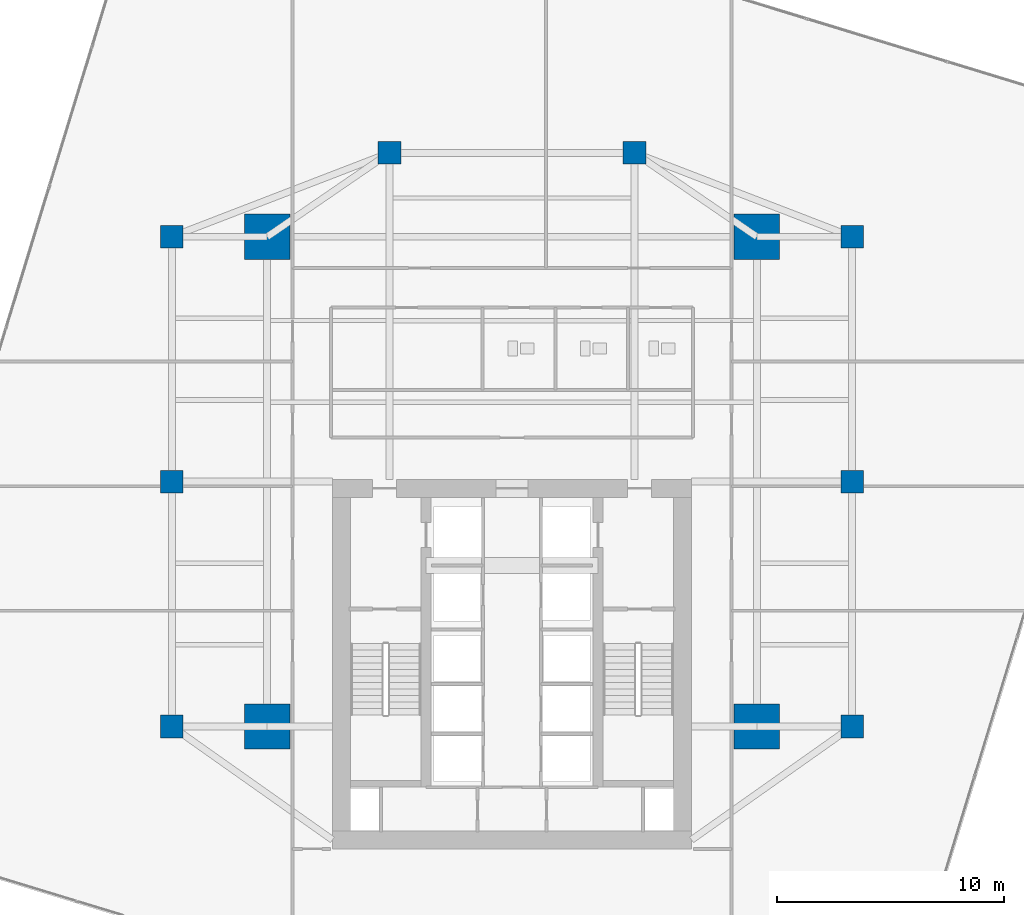
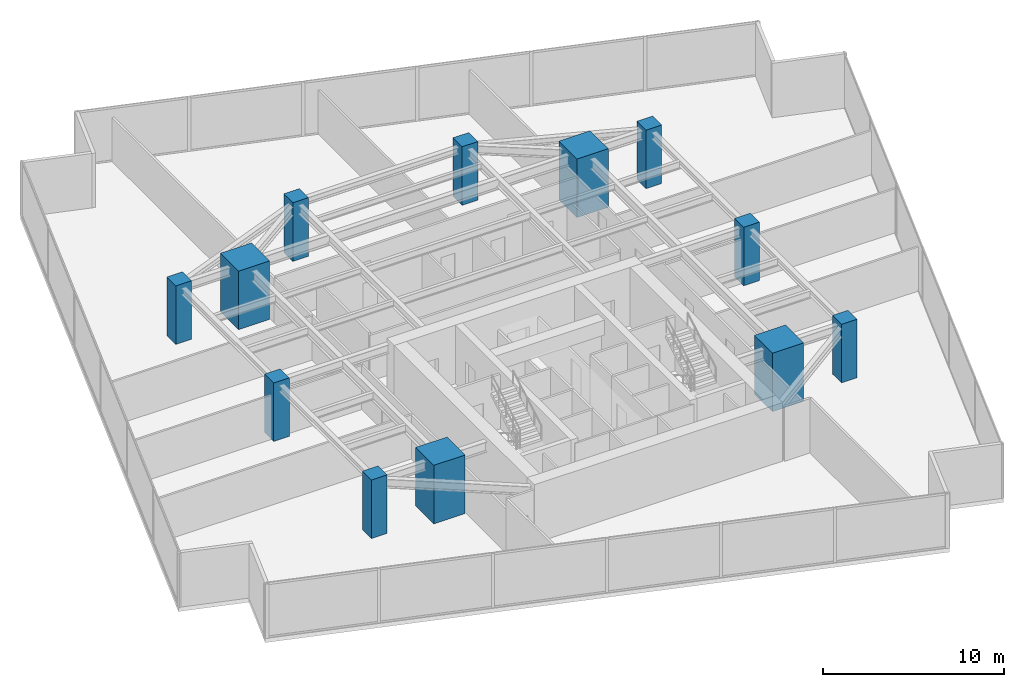
# One storey, part 1 of 26: 12 columns.
"""IFC4 building model written with IfcOpenShell, lengths in metres."""

from ifc_helpers import new_model, si_unit, direction, frame, origin, origin_2d, place, context, subcontext, project, spatial, rectangle, extrude, source, transform, mapped, material, material_profile, profile_set, type_object, type_shapes, element, save


model = new_model("IFC4")

# Units and contexts
model_context = context("Model", 3, precision=1e-05, world=origin(), true_north=direction((0.0, 1.0)))
body_context = subcontext(model_context, "Body", "Model", "MODEL_VIEW")
ifc_project = project(units=[si_unit("LENGTHUNIT", "METRE"), si_unit("AREAUNIT", "SQUARE_METRE"), si_unit("VOLUMEUNIT", "CUBIC_METRE"), si_unit("PLANEANGLEUNIT", "RADIAN"), si_unit("MASSUNIT", "GRAM", prefix="KILO")], contexts=[model_context])

# Site, building, storey
site_placement = place(None, origin())
site = spatial("IfcSite", under=ifc_project, at=site_placement, CompositionType="ELEMENT")
building_placement = place(site_placement, origin())
building = spatial("IfcBuilding", under=site, at=building_placement, Name="Krantzveldt Concourse Tower", CompositionType="ELEMENT")
storey_placement = place(building_placement, frame((0.0, 0.0, 109.800048828125)))
storey = spatial("IfcBuildingStorey", under=building, at=storey_placement, Name="L26", CompositionType="ELEMENT", Elevation=109.800048828125)

# Columns
ifc_material = material(Name="Concrete C60/75", Category="concrete")
ifc_material_profile_1 = material_profile(ifc_material, rectangle(XDim=2.0, YDim=2.0, at=origin_2d()), Name="Concrete C60/75", Category="concrete")
ifc_profile_set_1 = profile_set([ifc_material_profile_1], Name="Concrete C60/75 - RC 2000x2000")
column_type_1 = type_object("IfcColumnType", Name="COL-MC-2000", PredefinedType="USERDEFINED", material=ifc_profile_set_1)
shared_shape_1 = source(origin(), body_context, "Body", "SweptSolid", [
    extrude(rectangle(XDim=2.0, YDim=2.0, at=origin_2d()), origin(), (0.0, 0.0, 1.0), 3.949951171875),
])
type_shapes(column_type_1, [shared_shape_1])
for number, where, z_axis, x_axis, name in (
    (1, (25.199951171875, 15.89990234375, 0.0), (0.0, 0.0, 1.0), (1.0, 0.0, 0.0), "MC-SW-L26"),
    (2, (46.800048828125, 15.89990234375, 0.0), (0.0, 0.0, 1.0), (1.0, 0.0, 0.0), "MC-SE-L26"),
    (3, (46.800048828125, 37.5, 0.0), (0.0, 0.0, 1.0), (1.0, 0.0, 0.0), "MC-NE-L26"),
    (4, (25.199951171875, 37.5, 0.0), (0.0, 0.0, 1.0), (1.0, 0.0, 0.0), "MC-NW-L26"),
):
    element("IfcColumn", number, at=place(storey_placement, frame(where, z_axis=z_axis, x_axis=x_axis)), inside=storey, type_object=column_type_1, Name=name, ObjectType="MEGA COLUMN", PredefinedType="USERDEFINED", context=body_context, shape_type="MappedRepresentation", body=[
        mapped(shared_shape_1, transform((0.0, 0.0, 0.0), x_axis=(1.0, 0.0, 0.0), y_axis=(0.0, 1.0, 0.0), z_axis=(0.0, 0.0, 1.0), scale=1.0)),
    ])
ifc_material_profile_2 = material_profile(ifc_material, rectangle(XDim=1.0, YDim=1.0, at=origin_2d()), Name="Concrete C60/75", Category="concrete")
ifc_profile_set_2 = profile_set([ifc_material_profile_2], Name="Concrete C60/75 - RC 1000x1000")
column_type_2 = type_object("IfcColumnType", Name="COL-C-Z2", PredefinedType="COLUMN", material=ifc_profile_set_2)
shared_shape_2 = source(origin(), body_context, "Body", "SweptSolid", [
    extrude(rectangle(XDim=1.0, YDim=1.0, at=origin_2d()), origin(), (0.0, 0.0, 1.0), 3.949951171875),
])
type_shapes(column_type_2, [shared_shape_2])
for number, where, z_axis, x_axis, name in (
    (5, (21.0, 15.89990234375, 0.0), (0.0, 0.0, 1.0), (1.0, 0.0, 0.0), "PC-R01-L26"),
    (6, (21.0, 26.699951171875, 0.0), (0.0, 0.0, 1.0), (1.0, 0.0, 0.0), "PC-R02-L26"),
    (7, (21.0, 37.5, 0.0), (0.0, 0.0, 1.0), (1.0, 0.0, 0.0), "PC-R03-L26"),
    (8, (30.60009765625, 41.199951171875, 0.0), (0.0, 0.0, 1.0), (1.0, 0.0, 0.0), "PC-R04-L26"),
    (9, (41.39990234375, 41.199951171875, 0.0), (0.0, 0.0, 1.0), (1.0, 0.0, 0.0), "PC-R05-L26"),
    (10, (51.0, 37.5, 0.0), (0.0, 0.0, 1.0), (1.0, 0.0, 0.0), "PC-R06-L26"),
    (11, (51.0, 26.699951171875, 0.0), (0.0, 0.0, 1.0), (1.0, 0.0, 0.0), "PC-R07-L26"),
    (12, (51.0, 15.89990234375, 0.0), (0.0, 0.0, 1.0), (1.0, 0.0, 0.0), "PC-R08-L26"),
):
    element("IfcColumn", number, at=place(storey_placement, frame(where, z_axis=z_axis, x_axis=x_axis)), inside=storey, type_object=column_type_2, Name=name, PredefinedType="COLUMN", context=body_context, shape_type="MappedRepresentation", body=[
        mapped(shared_shape_2, transform((0.0, 0.0, 0.0), x_axis=(1.0, 0.0, 0.0), y_axis=(0.0, 1.0, 0.0), z_axis=(0.0, 0.0, 1.0), scale=1.0)),
    ])

save(model, "model.ifc")
